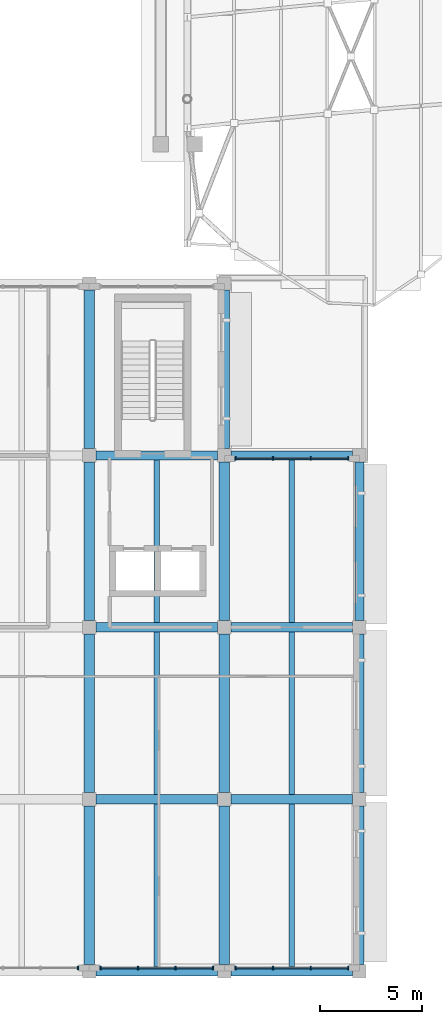
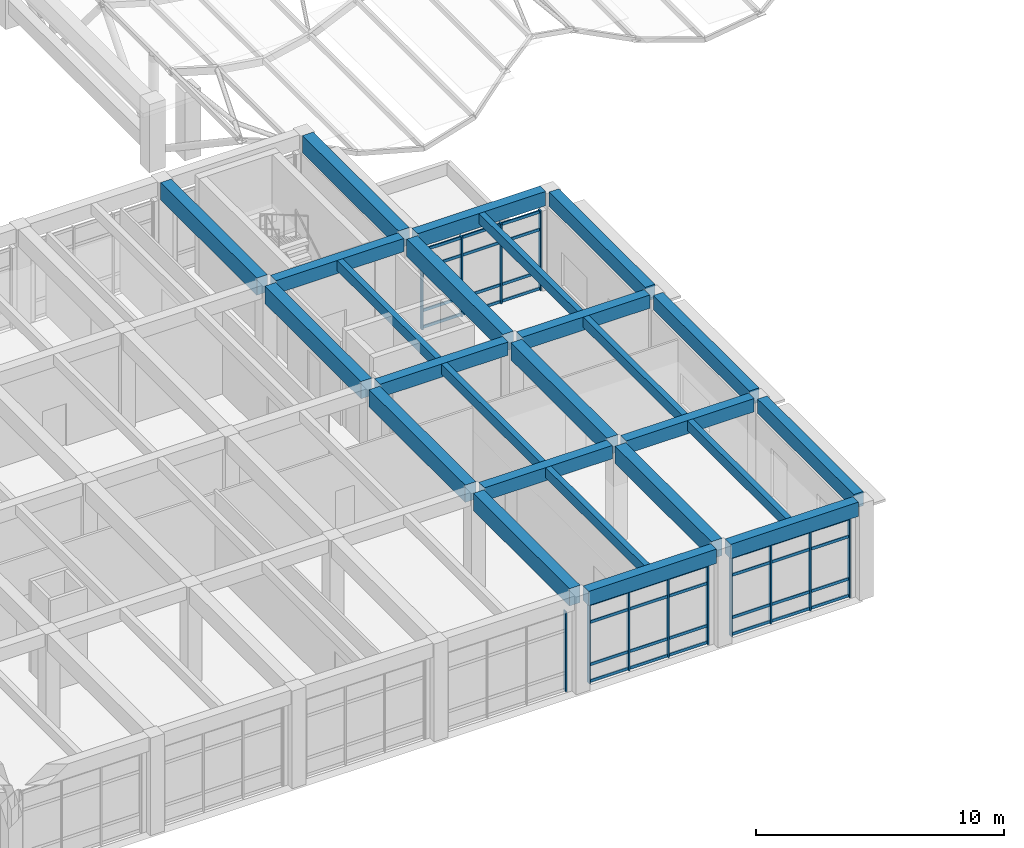
# One storey, part 8 of 79: 25 beams, 25 members, 4 elements without a shape of their own.
"""IFC4 building model written with IfcOpenShell, lengths in metres."""

from ifc_helpers import new_model, si_unit, direction, frame, origin, origin_2d, place, context, subcontext, project, spatial, rectangle, extrude, material, layer, layer_set, material_profile, profile_set, type_object, element, aggregate, save


model = new_model("IFC4")

# Units and contexts
model_context = context("Model", 3, precision=1e-05, world=origin(), true_north=direction((0.0, 1.0)))
body_context = subcontext(model_context, "Body", "Model", "MODEL_VIEW")
ifc_project = project(units=[si_unit("LENGTHUNIT", "METRE"), si_unit("AREAUNIT", "SQUARE_METRE"), si_unit("VOLUMEUNIT", "CUBIC_METRE"), si_unit("PLANEANGLEUNIT", "RADIAN"), si_unit("MASSUNIT", "GRAM", prefix="KILO")], contexts=[model_context])

# Site, building, storey
site_placement = place(None, origin())
site = spatial("IfcSite", under=ifc_project, at=site_placement, CompositionType="ELEMENT")
building_placement = place(site_placement, origin())
building = spatial("IfcBuilding", under=site, at=building_placement, Name="Kolvaren Faculty of Natural Sciences", CompositionType="ELEMENT")
storey_placement = place(building_placement, frame((0.0, 0.0, 10.199951171875)))
storey = spatial("IfcBuildingStorey", under=building, at=storey_placement, Name="L02", CompositionType="ELEMENT", Elevation=10.199951171875)

# Curtain wall, members
ifc_material_1 = material(Name="Thermally broken anodised aluminium framing", Category="aluminium")
ifc_layer = layer(ifc_material_1, 0.179931640625)
ifc_layer_set = layer_set([ifc_layer], Name="Thermally broken anodised aluminium framing")
curtain_wall_type = type_object("IfcCurtainWallType", Name="CommonsCurtainWall_CW02", PredefinedType="NOTDEFINED", material=ifc_layer_set)
curtain_wall_1_placement = place(storey_placement, origin())
curtain_wall_1 = element("IfcCurtainWall", 1, at=curtain_wall_1_placement, inside=storey, type_object=curtain_wall_type, Name="L02 unitised curtain wall CW-02 (CW-L02-076)", PredefinedType="NOTDEFINED")
ifc_material_profile_1 = material_profile(ifc_material_1, rectangle(XDim=0.06005859375, YDim=0.179931640625, at=origin_2d()), Name="ALU MUL 60x180")
ifc_profile_set_1 = profile_set([ifc_material_profile_1], Name="Thermally broken anodised aluminium framing")
member_type_1 = type_object("IfcMemberType", Name="CurtainMullion_60x180", PredefinedType="MULLION", material=ifc_profile_set_1)
member_1_placement = place(storey_placement, frame((40.35009765625, 33.64990234375, 0.0), z_axis=(0.0, 0.0, 1.0), x_axis=(1.0, 0.0, 0.0)))
member_1 = element("IfcMember", 2, at=member_1_placement, type_object=member_type_1, Name="CW-L02-076 vertical mullion 1", PredefinedType="MULLION", context=body_context, shape_type="SweptSolid", body=[
    extrude(rectangle(XDim=0.06005859375, YDim=0.179931640625, at=origin_2d()), origin(), (0.0, 0.0, 1.0), 3.93505859375),
])
member_2_placement = place(storey_placement, frame((42.183349609375, 33.64990234375, 0.0), z_axis=(0.0, 0.0, 1.0), x_axis=(1.0, 0.0, 0.0)))
member_2 = element("IfcMember", 3, at=member_2_placement, type_object=member_type_1, Name="CW-L02-076 vertical mullion 2", PredefinedType="MULLION", context=body_context, shape_type="SweptSolid", body=[
    extrude(rectangle(XDim=0.06005859375, YDim=0.179931640625, at=origin_2d()), origin(), (0.0, 0.0, 1.0), 3.93505859375),
])
member_3_placement = place(storey_placement, frame((44.0166015625, 33.64990234375, 0.0), z_axis=(0.0, 0.0, 1.0), x_axis=(1.0, 0.0, 0.0)))
member_3 = element("IfcMember", 4, at=member_3_placement, type_object=member_type_1, Name="CW-L02-076 vertical mullion 3", PredefinedType="MULLION", context=body_context, shape_type="SweptSolid", body=[
    extrude(rectangle(XDim=0.06005859375, YDim=0.179931640625, at=origin_2d()), origin(), (0.0, 0.0, 1.0), 3.93505859375),
])
member_4_placement = place(storey_placement, frame((45.85009765625, 33.64990234375, 0.0), z_axis=(0.0, 0.0, 1.0), x_axis=(1.0, 0.0, 0.0)))
member_4 = element("IfcMember", 5, at=member_4_placement, type_object=member_type_1, Name="CW-L02-076 vertical mullion 4", PredefinedType="MULLION", context=body_context, shape_type="SweptSolid", body=[
    extrude(rectangle(XDim=0.06005859375, YDim=0.179931640625, at=origin_2d()), origin(), (0.0, 0.0, 1.0), 3.93505859375),
])

curtain_wall_2_placement = place(storey_placement, origin())
curtain_wall_2 = element("IfcCurtainWall", 6, at=curtain_wall_2_placement, inside=storey, type_object=curtain_wall_type, Name="L02 unitised curtain wall CW-02 (CW-L02-077)", PredefinedType="NOTDEFINED")
member_5_placement = place(storey_placement, frame((45.85009765625, 8.75, 0.0), z_axis=(0.0, 0.0, 1.0), x_axis=(-1.0, 0.0, 0.0)))
member_5 = element("IfcMember", 7, at=member_5_placement, type_object=member_type_1, Name="CW-L02-077 vertical mullion 1", PredefinedType="MULLION", context=body_context, shape_type="SweptSolid", body=[
    extrude(rectangle(XDim=0.06005859375, YDim=0.179931640625, at=origin_2d()), origin(), (0.0, 0.0, 1.0), 3.93505859375),
])
member_6_placement = place(storey_placement, frame((44.0166015625, 8.75, 0.0), z_axis=(0.0, 0.0, 1.0), x_axis=(-1.0, 0.0, 0.0)))
member_6 = element("IfcMember", 8, at=member_6_placement, type_object=member_type_1, Name="CW-L02-077 vertical mullion 2", PredefinedType="MULLION", context=body_context, shape_type="SweptSolid", body=[
    extrude(rectangle(XDim=0.06005859375, YDim=0.179931640625, at=origin_2d()), origin(), (0.0, 0.0, 1.0), 3.93505859375),
])
member_7_placement = place(storey_placement, frame((42.183349609375, 8.75, 0.0), z_axis=(0.0, 0.0, 1.0), x_axis=(-1.0, 0.0, 0.0)))
member_7 = element("IfcMember", 9, at=member_7_placement, type_object=member_type_1, Name="CW-L02-077 vertical mullion 3", PredefinedType="MULLION", context=body_context, shape_type="SweptSolid", body=[
    extrude(rectangle(XDim=0.06005859375, YDim=0.179931640625, at=origin_2d()), origin(), (0.0, 0.0, 1.0), 3.93505859375),
])
member_8_placement = place(storey_placement, frame((40.35009765625, 8.75, 0.0), z_axis=(0.0, 0.0, 1.0), x_axis=(-1.0, 0.0, 0.0)))
member_8 = element("IfcMember", 10, at=member_8_placement, type_object=member_type_1, Name="CW-L02-077 vertical mullion 4", PredefinedType="MULLION", context=body_context, shape_type="SweptSolid", body=[
    extrude(rectangle(XDim=0.06005859375, YDim=0.179931640625, at=origin_2d()), origin(), (0.0, 0.0, 1.0), 3.93505859375),
])

curtain_wall_3_placement = place(storey_placement, origin())
curtain_wall_3 = element("IfcCurtainWall", 11, at=curtain_wall_3_placement, inside=storey, type_object=curtain_wall_type, Name="L02 unitised curtain wall CW-02 (CW-L02-078)", PredefinedType="NOTDEFINED")
member_9_placement = place(storey_placement, frame((39.25, 8.75, 0.0), z_axis=(0.0, 0.0, 1.0), x_axis=(-1.0, 0.0, 0.0)))
member_9 = element("IfcMember", 12, at=member_9_placement, type_object=member_type_1, Name="CW-L02-078 vertical mullion 1", PredefinedType="MULLION", context=body_context, shape_type="SweptSolid", body=[
    extrude(rectangle(XDim=0.06005859375, YDim=0.179931640625, at=origin_2d()), origin(), (0.0, 0.0, 1.0), 3.93505859375),
])
member_10_placement = place(storey_placement, frame((37.416748046875, 8.75, 0.0), z_axis=(0.0, 0.0, 1.0), x_axis=(-1.0, 0.0, 0.0)))
member_10 = element("IfcMember", 13, at=member_10_placement, type_object=member_type_1, Name="CW-L02-078 vertical mullion 2", PredefinedType="MULLION", context=body_context, shape_type="SweptSolid", body=[
    extrude(rectangle(XDim=0.06005859375, YDim=0.179931640625, at=origin_2d()), origin(), (0.0, 0.0, 1.0), 3.93505859375),
])
member_11_placement = place(storey_placement, frame((35.583251953125, 8.75, 0.0), z_axis=(0.0, 0.0, 1.0), x_axis=(-1.0, 0.0, 0.0)))
member_11 = element("IfcMember", 14, at=member_11_placement, type_object=member_type_1, Name="CW-L02-078 vertical mullion 3", PredefinedType="MULLION", context=body_context, shape_type="SweptSolid", body=[
    extrude(rectangle(XDim=0.06005859375, YDim=0.179931640625, at=origin_2d()), origin(), (0.0, 0.0, 1.0), 3.93505859375),
])
member_12_placement = place(storey_placement, frame((33.75, 8.75, 0.0), z_axis=(0.0, 0.0, 1.0), x_axis=(-1.0, 0.0, 0.0)))
member_12 = element("IfcMember", 15, at=member_12_placement, type_object=member_type_1, Name="CW-L02-078 vertical mullion 4", PredefinedType="MULLION", context=body_context, shape_type="SweptSolid", body=[
    extrude(rectangle(XDim=0.06005859375, YDim=0.179931640625, at=origin_2d()), origin(), (0.0, 0.0, 1.0), 3.93505859375),
])

# Curtain wall, member
curtain_wall_4_placement = place(storey_placement, origin())
curtain_wall_4 = element("IfcCurtainWall", 16, at=curtain_wall_4_placement, inside=storey, type_object=curtain_wall_type, Name="L02 unitised curtain wall CW-02 (CW-L02-079)", PredefinedType="NOTDEFINED")
member_13_placement = place(storey_placement, frame((32.64990234375, 8.75, 0.0), z_axis=(0.0, 0.0, 1.0), x_axis=(-1.0, 0.0, 0.0)))
member_13 = element("IfcMember", 17, at=member_13_placement, type_object=member_type_1, Name="CW-L02-079 vertical mullion 1", PredefinedType="MULLION", context=body_context, shape_type="SweptSolid", body=[
    extrude(rectangle(XDim=0.06005859375, YDim=0.179931640625, at=origin_2d()), origin(), (0.0, 0.0, 1.0), 3.93505859375),
])
aggregate(curtain_wall_4, [member_13])

# Member
ifc_material_profile_2 = material_profile(ifc_material_1, rectangle(XDim=0.06005859375, YDim=0.139892578125, at=origin_2d()), Name="ALU TRN 60x140")
ifc_profile_set_2 = profile_set([ifc_material_profile_2], Name="Thermally broken anodised aluminium framing")
member_type_2 = type_object("IfcMemberType", Name="CurtainTransom_60x140", PredefinedType="USERDEFINED", material=ifc_profile_set_2)
member_14_placement = place(storey_placement, frame((40.35009765625, 33.64990234375, 0.080078125), z_axis=(1.0, 0.0, 0.0), x_axis=(0.0, 1.0, 0.0)))
member_14 = element("IfcMember", 18, at=member_14_placement, type_object=member_type_2, Name="CW-L02-076 horizontal transom 1", ObjectType="TRANSOM", PredefinedType="USERDEFINED", context=body_context, shape_type="SweptSolid", body=[
    extrude(rectangle(XDim=0.06005859375, YDim=0.139892578125, at=origin_2d()), origin(), (0.0, 0.0, 1.0), 5.5),
])

member_15_placement = place(storey_placement, frame((40.35009765625, 33.64990234375, 0.900146484375), z_axis=(1.0, 0.0, 0.0), x_axis=(0.0, 1.0, 0.0)))
member_15 = element("IfcMember", 19, at=member_15_placement, type_object=member_type_2, Name="CW-L02-076 horizontal transom 2", ObjectType="TRANSOM", PredefinedType="USERDEFINED", context=body_context, shape_type="SweptSolid", body=[
    extrude(rectangle(XDim=0.06005859375, YDim=0.139892578125, at=origin_2d()), origin(), (0.0, 0.0, 1.0), 5.5),
])

member_16_placement = place(storey_placement, frame((40.35009765625, 33.64990234375, 2.985107421875), z_axis=(1.0, 0.0, 0.0), x_axis=(0.0, 1.0, 0.0)))
member_16 = element("IfcMember", 20, at=member_16_placement, type_object=member_type_2, Name="CW-L02-076 horizontal transom 3", ObjectType="TRANSOM", PredefinedType="USERDEFINED", context=body_context, shape_type="SweptSolid", body=[
    extrude(rectangle(XDim=0.06005859375, YDim=0.139892578125, at=origin_2d()), origin(), (0.0, 0.0, 1.0), 5.5),
])

member_17_placement = place(storey_placement, frame((40.35009765625, 33.64990234375, 3.85498046875), z_axis=(1.0, 0.0, 0.0), x_axis=(0.0, 1.0, 0.0)))
member_17 = element("IfcMember", 21, at=member_17_placement, type_object=member_type_2, Name="CW-L02-076 horizontal transom 4", ObjectType="TRANSOM", PredefinedType="USERDEFINED", context=body_context, shape_type="SweptSolid", body=[
    extrude(rectangle(XDim=0.06005859375, YDim=0.139892578125, at=origin_2d()), origin(), (0.0, 0.0, 1.0), 5.5),
])

aggregate(curtain_wall_1, [member_1, member_2, member_3, member_4, member_14, member_15, member_16, member_17])

member_18_placement = place(storey_placement, frame((45.85009765625, 8.75, 0.080078125), z_axis=(-1.0, 0.0, 0.0), x_axis=(0.0, -1.0, 0.0)))
member_18 = element("IfcMember", 22, at=member_18_placement, type_object=member_type_2, Name="CW-L02-077 horizontal transom 1", ObjectType="TRANSOM", PredefinedType="USERDEFINED", context=body_context, shape_type="SweptSolid", body=[
    extrude(rectangle(XDim=0.06005859375, YDim=0.139892578125, at=origin_2d()), origin(), (0.0, 0.0, 1.0), 5.5),
])

member_19_placement = place(storey_placement, frame((45.85009765625, 8.75, 0.900146484375), z_axis=(-1.0, 0.0, 0.0), x_axis=(0.0, -1.0, 0.0)))
member_19 = element("IfcMember", 23, at=member_19_placement, type_object=member_type_2, Name="CW-L02-077 horizontal transom 2", ObjectType="TRANSOM", PredefinedType="USERDEFINED", context=body_context, shape_type="SweptSolid", body=[
    extrude(rectangle(XDim=0.06005859375, YDim=0.139892578125, at=origin_2d()), origin(), (0.0, 0.0, 1.0), 5.5),
])

member_20_placement = place(storey_placement, frame((45.85009765625, 8.75, 2.985107421875), z_axis=(-1.0, 0.0, 0.0), x_axis=(0.0, -1.0, 0.0)))
member_20 = element("IfcMember", 24, at=member_20_placement, type_object=member_type_2, Name="CW-L02-077 horizontal transom 3", ObjectType="TRANSOM", PredefinedType="USERDEFINED", context=body_context, shape_type="SweptSolid", body=[
    extrude(rectangle(XDim=0.06005859375, YDim=0.139892578125, at=origin_2d()), origin(), (0.0, 0.0, 1.0), 5.5),
])

member_21_placement = place(storey_placement, frame((45.85009765625, 8.75, 3.85498046875), z_axis=(-1.0, 0.0, 0.0), x_axis=(0.0, -1.0, 0.0)))
member_21 = element("IfcMember", 25, at=member_21_placement, type_object=member_type_2, Name="CW-L02-077 horizontal transom 4", ObjectType="TRANSOM", PredefinedType="USERDEFINED", context=body_context, shape_type="SweptSolid", body=[
    extrude(rectangle(XDim=0.06005859375, YDim=0.139892578125, at=origin_2d()), origin(), (0.0, 0.0, 1.0), 5.5),
])

aggregate(curtain_wall_2, [member_5, member_6, member_7, member_8, member_18, member_19, member_20, member_21])

member_22_placement = place(storey_placement, frame((39.25, 8.75, 0.080078125), z_axis=(-1.0, 0.0, 0.0), x_axis=(0.0, -1.0, 0.0)))
member_22 = element("IfcMember", 26, at=member_22_placement, type_object=member_type_2, Name="CW-L02-078 horizontal transom 1", ObjectType="TRANSOM", PredefinedType="USERDEFINED", context=body_context, shape_type="SweptSolid", body=[
    extrude(rectangle(XDim=0.06005859375, YDim=0.139892578125, at=origin_2d()), origin(), (0.0, 0.0, 1.0), 5.5),
])

member_23_placement = place(storey_placement, frame((39.25, 8.75, 0.900146484375), z_axis=(-1.0, 0.0, 0.0), x_axis=(0.0, -1.0, 0.0)))
member_23 = element("IfcMember", 27, at=member_23_placement, type_object=member_type_2, Name="CW-L02-078 horizontal transom 2", ObjectType="TRANSOM", PredefinedType="USERDEFINED", context=body_context, shape_type="SweptSolid", body=[
    extrude(rectangle(XDim=0.06005859375, YDim=0.139892578125, at=origin_2d()), origin(), (0.0, 0.0, 1.0), 5.5),
])

member_24_placement = place(storey_placement, frame((39.25, 8.75, 2.985107421875), z_axis=(-1.0, 0.0, 0.0), x_axis=(0.0, -1.0, 0.0)))
member_24 = element("IfcMember", 28, at=member_24_placement, type_object=member_type_2, Name="CW-L02-078 horizontal transom 3", ObjectType="TRANSOM", PredefinedType="USERDEFINED", context=body_context, shape_type="SweptSolid", body=[
    extrude(rectangle(XDim=0.06005859375, YDim=0.139892578125, at=origin_2d()), origin(), (0.0, 0.0, 1.0), 5.5),
])

member_25_placement = place(storey_placement, frame((39.25, 8.75, 3.85498046875), z_axis=(-1.0, 0.0, 0.0), x_axis=(0.0, -1.0, 0.0)))
member_25 = element("IfcMember", 29, at=member_25_placement, type_object=member_type_2, Name="CW-L02-078 horizontal transom 4", ObjectType="TRANSOM", PredefinedType="USERDEFINED", context=body_context, shape_type="SweptSolid", body=[
    extrude(rectangle(XDim=0.06005859375, YDim=0.139892578125, at=origin_2d()), origin(), (0.0, 0.0, 1.0), 5.5),
])

aggregate(curtain_wall_3, [member_9, member_10, member_11, member_12, member_22, member_23, member_24, member_25])

# Beams
ifc_material_2 = material(Name="Concrete C35/45", Category="concrete")
ifc_material_profile_3 = material_profile(ifc_material_2, rectangle(XDim=0.449951171875, YDim=0.64990234375, at=origin_2d()), Name="RC BM 450x650")
ifc_profile_set_3 = profile_set([ifc_material_profile_3], Name="Concrete C35/45")
beam_type_1 = type_object("IfcBeamType", Name="GridBeam_450x650", PredefinedType="BEAM", material=ifc_profile_set_3)
beam_1_placement = place(storey_placement, frame((33.52490234375, 17.0, 4.47509765625), z_axis=(1.0, 0.0, 0.0), x_axis=(0.0, 1.0, 0.0)))
element("IfcBeam", 30, at=beam_1_placement, inside=storey, type_object=beam_type_1, Name="L02 beam BM-65 on grid C", PredefinedType="BEAM", context=body_context, shape_type="SweptSolid", body=[
    extrude(rectangle(XDim=0.449951171875, YDim=0.64990234375, at=origin_2d()), origin(), (0.0, 0.0, 1.0), 5.9501953125),
])
beam_2_placement = place(storey_placement, frame((40.125, 17.0, 4.47509765625), z_axis=(1.0, 0.0, 0.0), x_axis=(0.0, 1.0, 0.0)))
element("IfcBeam", 31, at=beam_2_placement, inside=storey, type_object=beam_type_1, Name="L02 beam BM-65 on grid C", PredefinedType="BEAM", context=body_context, shape_type="SweptSolid", body=[
    extrude(rectangle(XDim=0.449951171875, YDim=0.64990234375, at=origin_2d()), origin(), (0.0, 0.0, 1.0), 5.949951171875),
])
beam_3_placement = place(storey_placement, frame((33.52490234375, 25.39990234375, 4.47509765625), z_axis=(1.0, 0.0, 0.0), x_axis=(0.0, 1.0, 0.0)))
element("IfcBeam", 32, at=beam_3_placement, inside=storey, type_object=beam_type_1, Name="L02 beam BM-65 on grid D", PredefinedType="BEAM", context=body_context, shape_type="SweptSolid", body=[
    extrude(rectangle(XDim=0.449951171875, YDim=0.64990234375, at=origin_2d()), origin(), (0.0, 0.0, 1.0), 5.9501953125),
])
beam_4_placement = place(storey_placement, frame((40.125, 25.39990234375, 4.47509765625), z_axis=(1.0, 0.0, 0.0), x_axis=(0.0, 1.0, 0.0)))
element("IfcBeam", 33, at=beam_4_placement, inside=storey, type_object=beam_type_1, Name="L02 beam BM-65 on grid D", PredefinedType="BEAM", context=body_context, shape_type="SweptSolid", body=[
    extrude(rectangle(XDim=0.449951171875, YDim=0.64990234375, at=origin_2d()), origin(), (0.0, 0.0, 1.0), 5.949951171875),
])
beam_5_placement = place(storey_placement, frame((33.52490234375, 33.800048828125, 4.47509765625), z_axis=(1.0, 0.0, 0.0), x_axis=(0.0, 1.0, 0.0)))
element("IfcBeam", 34, at=beam_5_placement, inside=storey, type_object=beam_type_1, Name="L02 beam BM-65 on grid E", PredefinedType="BEAM", context=body_context, shape_type="SweptSolid", body=[
    extrude(rectangle(XDim=0.449951171875, YDim=0.64990234375, at=origin_2d()), origin(), (0.0, 0.0, 1.0), 5.9501953125),
])
ifc_material_profile_4 = material_profile(ifc_material_2, rectangle(XDim=0.260009765625, YDim=0.5, at=origin_2d()), Name="RC JST 260x500")
ifc_profile_set_4 = profile_set([ifc_material_profile_4], Name="Concrete C35/45")
beam_type_2 = type_object("IfcBeamType", Name="LabRibJoist_260x500", PredefinedType="JOIST", material=ifc_profile_set_4)
for number, where, z_axis, x_axis, name in (
    (35, (36.5, 8.824951171875, 4.550048828125), (0.0, 1.0, 0.0), (-1.0, 0.0, 0.0), "L02 ribbed laboratory slab joist JS-50"),
    (36, (36.5, 17.22509765625, 4.550048828125), (0.0, 1.0, 0.0), (-1.0, 0.0, 0.0), "L02 ribbed laboratory slab joist JS-50"),
    (37, (36.5, 25.625, 4.550048828125), (0.0, 1.0, 0.0), (-1.0, 0.0, 0.0), "L02 ribbed laboratory slab joist JS-50"),
    (38, (43.10009765625, 8.824951171875, 4.550048828125), (0.0, 1.0, 0.0), (-1.0, 0.0, 0.0), "L02 ribbed laboratory slab joist JS-50"),
    (39, (43.10009765625, 17.22509765625, 4.550048828125), (0.0, 1.0, 0.0), (-1.0, 0.0, 0.0), "L02 ribbed laboratory slab joist JS-50"),
    (40, (43.10009765625, 25.625, 4.550048828125), (0.0, 1.0, 0.0), (-1.0, 0.0, 0.0), "L02 ribbed laboratory slab joist JS-50"),
):
    element("IfcBeam", number, at=place(storey_placement, frame(where, z_axis=z_axis, x_axis=x_axis)), inside=storey, type_object=beam_type_2, Name=name, PredefinedType="JOIST", context=body_context, shape_type="SweptSolid", body=[
        extrude(rectangle(XDim=0.260009765625, YDim=0.5, at=origin_2d()), origin(), (0.0, 0.0, 1.0), 7.949951171875),
    ])
ifc_material_profile_5 = material_profile(ifc_material_2, rectangle(XDim=0.449951171875, YDim=0.699951171875, at=origin_2d()), Name="RC SP 450x700")
ifc_profile_set_5 = profile_set([ifc_material_profile_5], Name="Concrete C35/45")
beam_type_3 = type_object("IfcBeamType", Name="PerimeterSpandrel_450x700", PredefinedType="SPANDREL", material=ifc_profile_set_5)
beam_6_placement = place(storey_placement, frame((33.52490234375, 8.60009765625, 4.449951171875), z_axis=(1.0, 0.0, 0.0), x_axis=(0.0, 1.0, 0.0)))
element("IfcBeam", 41, at=beam_6_placement, inside=storey, type_object=beam_type_3, Name="L02 spandrel SP-70 on grid B", PredefinedType="SPANDREL", context=body_context, shape_type="SweptSolid", body=[
    extrude(rectangle(XDim=0.449951171875, YDim=0.699951171875, at=origin_2d()), origin(), (0.0, 0.0, 1.0), 5.9501953125),
])
for number, where, z_axis, x_axis, name in (
    (42, (40.125, 8.60009765625, 4.449951171875), (1.0, 0.0, 0.0), (0.0, 1.0, 0.0), "L02 spandrel SP-70 on grid B"),
    (43, (40.125, 33.800048828125, 4.449951171875), (1.0, 0.0, 0.0), (0.0, 1.0, 0.0), "L02 spandrel SP-70 on grid E"),
):
    element("IfcBeam", number, at=place(storey_placement, frame(where, z_axis=z_axis, x_axis=x_axis)), inside=storey, type_object=beam_type_3, Name=name, PredefinedType="SPANDREL", context=body_context, shape_type="SweptSolid", body=[
        extrude(rectangle(XDim=0.449951171875, YDim=0.699951171875, at=origin_2d()), origin(), (0.0, 0.0, 1.0), 5.949951171875),
    ])
for number, where, z_axis, x_axis, name in (
    (44, (46.39990234375, 8.925048828125, 4.449951171875), (0.0, 1.0, 0.0), (-1.0, 0.0, 0.0), "L02 girder SP-70 on grid 8"),
    (45, (46.39990234375, 17.324951171875, 4.449951171875), (0.0, 1.0, 0.0), (-1.0, 0.0, 0.0), "L02 girder SP-70 on grid 8"),
    (46, (46.39990234375, 25.72509765625, 4.449951171875), (0.0, 1.0, 0.0), (-1.0, 0.0, 0.0), "L02 girder SP-70 on grid 8"),
):
    element("IfcBeam", number, at=place(storey_placement, frame(where, z_axis=z_axis, x_axis=x_axis)), inside=storey, type_object=beam_type_3, Name=name, PredefinedType="SPANDREL", context=body_context, shape_type="SweptSolid", body=[
        extrude(rectangle(XDim=0.449951171875, YDim=0.699951171875, at=origin_2d()), origin(), (0.0, 0.0, 1.0), 7.75),
    ])
ifc_material_profile_6 = material_profile(ifc_material_2, rectangle(XDim=0.5, YDim=0.85009765625, at=origin_2d()), Name="RC BM 500x850")
ifc_profile_set_6 = profile_set([ifc_material_profile_6], Name="Concrete C35/45")
beam_type_4 = type_object("IfcBeamType", Name="PrimaryGirder_500x850", PredefinedType="BEAM", material=ifc_profile_set_6)
for number, where, z_axis, x_axis, name in (
    (47, (33.199951171875, 8.925048828125, 4.375), (0.0, 1.0, 0.0), (-1.0, 0.0, 0.0), "L02 girder BG-85 on grid 6"),
    (48, (33.199951171875, 17.324951171875, 4.375), (0.0, 1.0, 0.0), (-1.0, 0.0, 0.0), "L02 girder BG-85 on grid 6"),
    (49, (33.199951171875, 25.72509765625, 4.375), (0.0, 1.0, 0.0), (-1.0, 0.0, 0.0), "L02 girder BG-85 on grid 6"),
    (50, (33.199951171875, 34.125, 4.375), (0.0, 1.0, 0.0), (-1.0, 0.0, 0.0), "L02 girder BG-85 on grid 6"),
    (51, (39.800048828125, 8.925048828125, 4.375), (0.0, 1.0, 0.0), (-1.0, 0.0, 0.0), "L02 girder BG-85 on grid 7"),
    (52, (39.800048828125, 17.324951171875, 4.375), (0.0, 1.0, 0.0), (-1.0, 0.0, 0.0), "L02 girder BG-85 on grid 7"),
    (53, (39.800048828125, 25.72509765625, 4.375), (0.0, 1.0, 0.0), (-1.0, 0.0, 0.0), "L02 girder BG-85 on grid 7"),
    (54, (39.800048828125, 34.125, 4.375), (0.0, 1.0, 0.0), (-1.0, 0.0, 0.0), "L02 girder BG-85 on grid 7"),
):
    element("IfcBeam", number, at=place(storey_placement, frame(where, z_axis=z_axis, x_axis=x_axis)), inside=storey, type_object=beam_type_4, Name=name, PredefinedType="BEAM", context=body_context, shape_type="SweptSolid", body=[
        extrude(rectangle(XDim=0.5, YDim=0.85009765625, at=origin_2d()), origin(), (0.0, 0.0, 1.0), 7.75),
    ])

save(model, "model.ifc")
